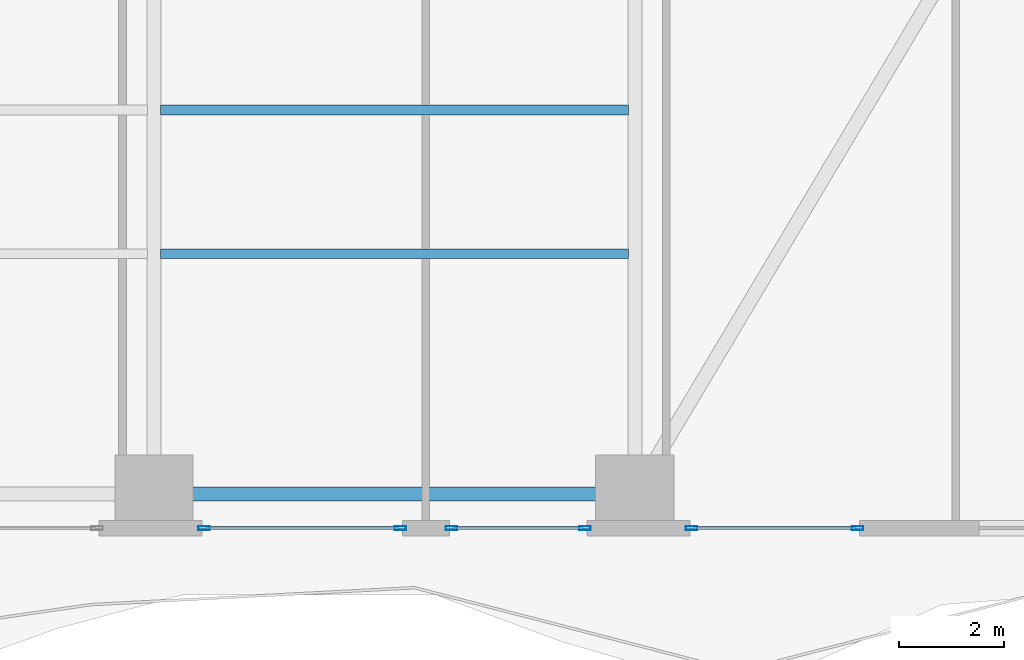
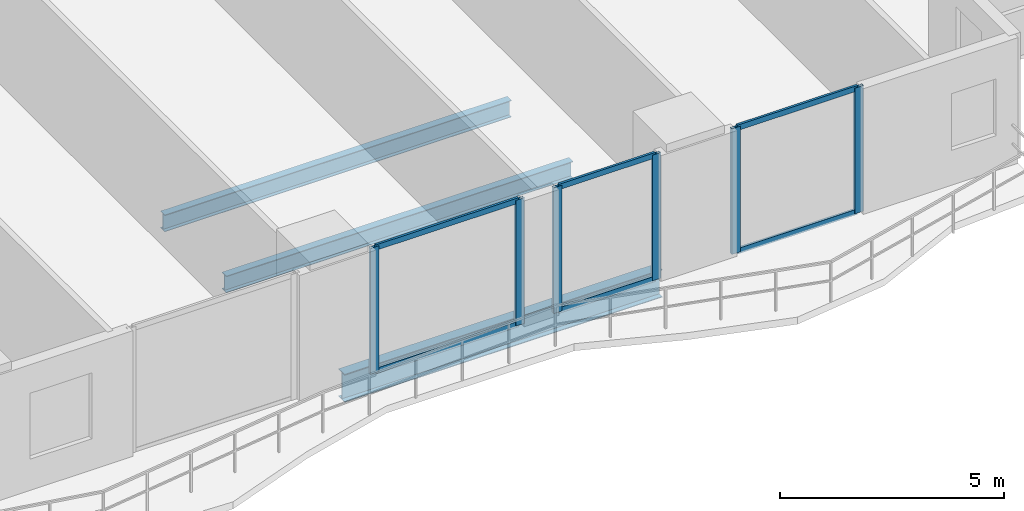
# One storey, part 8 of 28: 12 members, 3 beams, 3 elements without a shape of their own.
"""IFC4 building model written with IfcOpenShell, lengths in metres."""

from ifc_helpers import new_model, si_unit, direction, frame, origin, origin_2d, place, context, subcontext, project, spatial, hollow_rectangle, i_section, extrude, material, layer, layer_set, material_profile, profile_set, type_object, element, aggregate, save


model = new_model("IFC4")

# Units and contexts
model_context = context("Model", 3, precision=1e-05, world=origin(), true_north=direction((0.0, 1.0)))
body_context = subcontext(model_context, "Body", "Model", "MODEL_VIEW")
ifc_project = project(units=[si_unit("LENGTHUNIT", "METRE"), si_unit("AREAUNIT", "SQUARE_METRE"), si_unit("VOLUMEUNIT", "CUBIC_METRE"), si_unit("PLANEANGLEUNIT", "RADIAN"), si_unit("MASSUNIT", "GRAM", prefix="KILO")], contexts=[model_context])

# Site, building, storey
site_placement = place(None, origin())
site = spatial("IfcSite", under=ifc_project, at=site_placement, CompositionType="ELEMENT")
building_placement = place(site_placement, origin())
building = spatial("IfcBuilding", under=site, at=building_placement, Name="Zuhayl Quay Hotel", CompositionType="ELEMENT")
storey_placement = place(building_placement, frame((0.0, 0.0, 31.25)))
storey = spatial("IfcBuildingStorey", under=building, at=storey_placement, Name="L06", CompositionType="ELEMENT", Elevation=31.25)

# Beams
ifc_material_1 = material(Name="Steel ASTM A992 Grade 50", Category="steel")
ifc_material_profile_1 = material_profile(ifc_material_1, i_section(OverallWidth=0.26708984375, OverallDepth=0.761962890625, WebThickness=0.014404296875, FlangeThickness=0.021484375, at=origin_2d()), Name="W30X116")
ifc_profile_set_1 = profile_set([ifc_material_profile_1], Name="Steel ASTM A992 Grade 50")
beam_type_1 = type_object("IfcBeamType", Name="BM_B1_W30X116", PredefinedType="BEAM", material=ifc_profile_set_1)
beam_placement = place(storey_placement, frame((5.10009765625, -22.449951171875, -0.60107421875), z_axis=(1.0, 0.0, 0.0), x_axis=(0.0, 1.0, 0.0)))
element("IfcBeam", 1, at=beam_placement, inside=storey, type_object=beam_type_1, Name="L06 Floor Beam RG_L06_03", PredefinedType="BEAM", context=body_context, shape_type="SweptSolid", body=[
    extrude(i_section(OverallWidth=0.26708984375, OverallDepth=0.761962890625, WebThickness=0.014404296875, FlangeThickness=0.021484375, at=origin_2d()), origin(), (0.0, 0.0, 1.0), 8.199951171875),
])
ifc_material_profile_2 = material_profile(ifc_material_1, i_section(OverallWidth=0.18994140625, OverallDepth=0.45703125, WebThickness=0.009033203125, FlangeThickness=0.014404296875, at=origin_2d()), Name="W18X50")
ifc_profile_set_2 = profile_set([ifc_material_profile_2], Name="Steel ASTM A992 Grade 50")
beam_type_2 = type_object("IfcBeamType", Name="BM_J2_W18X50", PredefinedType="JOIST", material=ifc_profile_set_2)
for number, where, z_axis, x_axis, name in (
    (2, (4.7255859375, -17.85009765625, -0.448486328125), (1.0, 0.0, 0.0), (0.0, 1.0, 0.0), "L06 Floor Beam FJ_L06_3_3"),
    (3, (4.7255859375, -15.10009765625, -0.448486328125), (1.0, 0.0, 0.0), (0.0, 1.0, 0.0), "L06 Floor Beam FJ_L06_4_3"),
):
    element("IfcBeam", number, at=place(storey_placement, frame(where, z_axis=z_axis, x_axis=x_axis)), inside=storey, type_object=beam_type_2, Name=name, PredefinedType="JOIST", context=body_context, shape_type="SweptSolid", body=[
        extrude(i_section(OverallWidth=0.18994140625, OverallDepth=0.45703125, WebThickness=0.009033203125, FlangeThickness=0.014404296875, at=origin_2d()), origin(), (0.0, 0.0, 1.0), 8.948974609375),
    ])

# Curtain wall, members
ifc_material_2 = material(Name="Anodised Aluminium 6063-T6", Category="aluminium")
ifc_layer = layer(ifc_material_2, 0.18994140625, Name="Anodised Aluminium 6063-T6", Category="aluminium")
ifc_layer_set = layer_set([ifc_layer], Name="Anodised Aluminium 6063-T6")
curtain_wall_type = type_object("IfcCurtainWallType", Name="CW_SYS_Z1", PredefinedType="USERDEFINED", material=ifc_layer_set)
curtain_wall_1_placement = place(storey_placement, origin())
curtain_wall_1 = element("IfcCurtainWall", 4, at=curtain_wall_1_placement, inside=storey, type_object=curtain_wall_type, Name="L06 Curtain Wall ENV_L06_S_CW1", ObjectType="UNITISED CURTAIN WALL", PredefinedType="USERDEFINED")
ifc_material_3 = material(Name="Black-anodised aluminium 6063-T6", Category="aluminium")
ifc_material_profile_3 = material_profile(ifc_material_3, hollow_rectangle(XDim=0.074951171875, YDim=0.219970703125, WallThickness=0.00390625, at=origin_2d()), Name="ALU220X75")
ifc_profile_set_3 = profile_set([ifc_material_profile_3], Name="Black-anodised aluminium 6063-T6")
member_type_1 = type_object("IfcMemberType", Name="MB_CW_MUL_220", PredefinedType="MULLION", material=ifc_profile_set_3)
member_1_placement = place(storey_placement, frame((18.0625, -23.10009765625, 0.0), z_axis=(0.0, 0.0, 1.0), x_axis=(0.0, -1.0, 0.0)))
member_1 = element("IfcMember", 5, at=member_1_placement, type_object=member_type_1, Name="CW-Z1 mullion 1", PredefinedType="MULLION", context=body_context, shape_type="SweptSolid", body=[
    extrude(hollow_rectangle(XDim=0.074951171875, YDim=0.219970703125, WallThickness=0.00390625, at=origin_2d()), origin(), (0.0, 0.0, 1.0), 3.429931640625),
])
member_2_placement = place(storey_placement, frame((14.887451171875, -23.10009765625, 0.0), z_axis=(0.0, 0.0, 1.0), x_axis=(0.0, -1.0, 0.0)))
member_2 = element("IfcMember", 6, at=member_2_placement, type_object=member_type_1, Name="CW-Z1 mullion 2", PredefinedType="MULLION", context=body_context, shape_type="SweptSolid", body=[
    extrude(hollow_rectangle(XDim=0.074951171875, YDim=0.219970703125, WallThickness=0.00390625, at=origin_2d()), origin(), (0.0, 0.0, 1.0), 3.429931640625),
])

curtain_wall_2_placement = place(storey_placement, origin())
curtain_wall_2 = element("IfcCurtainWall", 7, at=curtain_wall_2_placement, inside=storey, type_object=curtain_wall_type, Name="L06 Curtain Wall ENV_L06_S_CW2", ObjectType="UNITISED CURTAIN WALL", PredefinedType="USERDEFINED")
member_3_placement = place(storey_placement, frame((12.842529296875, -23.10009765625, 0.0), z_axis=(0.0, 0.0, 1.0), x_axis=(0.0, -1.0, 0.0)))
member_3 = element("IfcMember", 8, at=member_3_placement, type_object=member_type_1, Name="CW-Z1 mullion 1", PredefinedType="MULLION", context=body_context, shape_type="SweptSolid", body=[
    extrude(hollow_rectangle(XDim=0.074951171875, YDim=0.219970703125, WallThickness=0.00390625, at=origin_2d()), origin(), (0.0, 0.0, 1.0), 3.429931640625),
])
member_4_placement = place(storey_placement, frame((10.28759765625, -23.10009765625, 0.0), z_axis=(0.0, 0.0, 1.0), x_axis=(0.0, -1.0, 0.0)))
member_4 = element("IfcMember", 9, at=member_4_placement, type_object=member_type_1, Name="CW-Z1 mullion 2", PredefinedType="MULLION", context=body_context, shape_type="SweptSolid", body=[
    extrude(hollow_rectangle(XDim=0.074951171875, YDim=0.219970703125, WallThickness=0.00390625, at=origin_2d()), origin(), (0.0, 0.0, 1.0), 3.429931640625),
])

curtain_wall_3_placement = place(storey_placement, origin())
curtain_wall_3 = element("IfcCurtainWall", 10, at=curtain_wall_3_placement, inside=storey, type_object=curtain_wall_type, Name="L06 Curtain Wall ENV_L06_S_CW3", ObjectType="UNITISED CURTAIN WALL", PredefinedType="USERDEFINED")
member_5_placement = place(storey_placement, frame((9.3125, -23.10009765625, 0.0), z_axis=(0.0, 0.0, 1.0), x_axis=(0.0, -1.0, 0.0)))
member_5 = element("IfcMember", 11, at=member_5_placement, type_object=member_type_1, Name="CW-Z1 mullion 1", PredefinedType="MULLION", context=body_context, shape_type="SweptSolid", body=[
    extrude(hollow_rectangle(XDim=0.074951171875, YDim=0.219970703125, WallThickness=0.00390625, at=origin_2d()), origin(), (0.0, 0.0, 1.0), 3.429931640625),
])
member_6_placement = place(storey_placement, frame((5.5576171875, -23.10009765625, 0.0), z_axis=(0.0, 0.0, 1.0), x_axis=(0.0, -1.0, 0.0)))
member_6 = element("IfcMember", 12, at=member_6_placement, type_object=member_type_1, Name="CW-Z1 mullion 2", PredefinedType="MULLION", context=body_context, shape_type="SweptSolid", body=[
    extrude(hollow_rectangle(XDim=0.074951171875, YDim=0.219970703125, WallThickness=0.00390625, at=origin_2d()), origin(), (0.0, 0.0, 1.0), 3.429931640625),
])

# Member
ifc_material_profile_4 = material_profile(ifc_material_3, hollow_rectangle(XDim=0.06005859375, YDim=0.14990234375, WallThickness=0.00341796875, at=origin_2d()), Name="ALU150X60")
ifc_profile_set_4 = profile_set([ifc_material_profile_4], Name="Black-anodised aluminium 6063-T6")
member_type_2 = type_object("IfcMemberType", Name="MB_CW_TRN_150", PredefinedType="USERDEFINED", material=ifc_profile_set_4)
member_7_placement = place(storey_placement, frame((18.02490234375, -23.10009765625, 0.030029296875), z_axis=(-1.0, 0.0, 0.0), x_axis=(0.0, -1.0, 0.0)))
member_7 = element("IfcMember", 13, at=member_7_placement, type_object=member_type_2, Name="CW-Z1 transom 1.1", ObjectType="TRANSOM", PredefinedType="USERDEFINED", context=body_context, shape_type="SweptSolid", body=[
    extrude(hollow_rectangle(XDim=0.06005859375, YDim=0.14990234375, WallThickness=0.00341796875, at=origin_2d()), origin(), (0.0, 0.0, 1.0), 3.099853515625),
])

member_8_placement = place(storey_placement, frame((18.02490234375, -23.10009765625, 3.39990234375), z_axis=(-1.0, 0.0, 0.0), x_axis=(0.0, -1.0, 0.0)))
member_8 = element("IfcMember", 14, at=member_8_placement, type_object=member_type_2, Name="CW-Z1 transom 1.2", ObjectType="TRANSOM", PredefinedType="USERDEFINED", context=body_context, shape_type="SweptSolid", body=[
    extrude(hollow_rectangle(XDim=0.06005859375, YDim=0.14990234375, WallThickness=0.00341796875, at=origin_2d()), origin(), (0.0, 0.0, 1.0), 3.099853515625),
])

aggregate(curtain_wall_1, [member_1, member_2, member_7, member_8])

member_9_placement = place(storey_placement, frame((12.804931640625, -23.10009765625, 0.030029296875), z_axis=(-1.0, 0.0, 0.0), x_axis=(0.0, -1.0, 0.0)))
member_9 = element("IfcMember", 15, at=member_9_placement, type_object=member_type_2, Name="CW-Z1 transom 1.1", ObjectType="TRANSOM", PredefinedType="USERDEFINED", context=body_context, shape_type="SweptSolid", body=[
    extrude(hollow_rectangle(XDim=0.06005859375, YDim=0.14990234375, WallThickness=0.00341796875, at=origin_2d()), origin(), (0.0, 0.0, 1.0), 2.47998046875),
])

member_10_placement = place(storey_placement, frame((12.804931640625, -23.10009765625, 3.39990234375), z_axis=(-1.0, 0.0, 0.0), x_axis=(0.0, -1.0, 0.0)))
member_10 = element("IfcMember", 16, at=member_10_placement, type_object=member_type_2, Name="CW-Z1 transom 1.2", ObjectType="TRANSOM", PredefinedType="USERDEFINED", context=body_context, shape_type="SweptSolid", body=[
    extrude(hollow_rectangle(XDim=0.06005859375, YDim=0.14990234375, WallThickness=0.00341796875, at=origin_2d()), origin(), (0.0, 0.0, 1.0), 2.47998046875),
])

aggregate(curtain_wall_2, [member_3, member_4, member_9, member_10])

member_11_placement = place(storey_placement, frame((9.27490234375, -23.10009765625, 0.030029296875), z_axis=(-1.0, 0.0, 0.0), x_axis=(0.0, -1.0, 0.0)))
member_11 = element("IfcMember", 17, at=member_11_placement, type_object=member_type_2, Name="CW-Z1 transom 1.1", ObjectType="TRANSOM", PredefinedType="USERDEFINED", context=body_context, shape_type="SweptSolid", body=[
    extrude(hollow_rectangle(XDim=0.06005859375, YDim=0.14990234375, WallThickness=0.00341796875, at=origin_2d()), origin(), (0.0, 0.0, 1.0), 3.679931640625),
])

member_12_placement = place(storey_placement, frame((9.27490234375, -23.10009765625, 3.39990234375), z_axis=(-1.0, 0.0, 0.0), x_axis=(0.0, -1.0, 0.0)))
member_12 = element("IfcMember", 18, at=member_12_placement, type_object=member_type_2, Name="CW-Z1 transom 1.2", ObjectType="TRANSOM", PredefinedType="USERDEFINED", context=body_context, shape_type="SweptSolid", body=[
    extrude(hollow_rectangle(XDim=0.06005859375, YDim=0.14990234375, WallThickness=0.00341796875, at=origin_2d()), origin(), (0.0, 0.0, 1.0), 3.679931640625),
])

aggregate(curtain_wall_3, [member_5, member_6, member_11, member_12])

save(model, "model.ifc")
